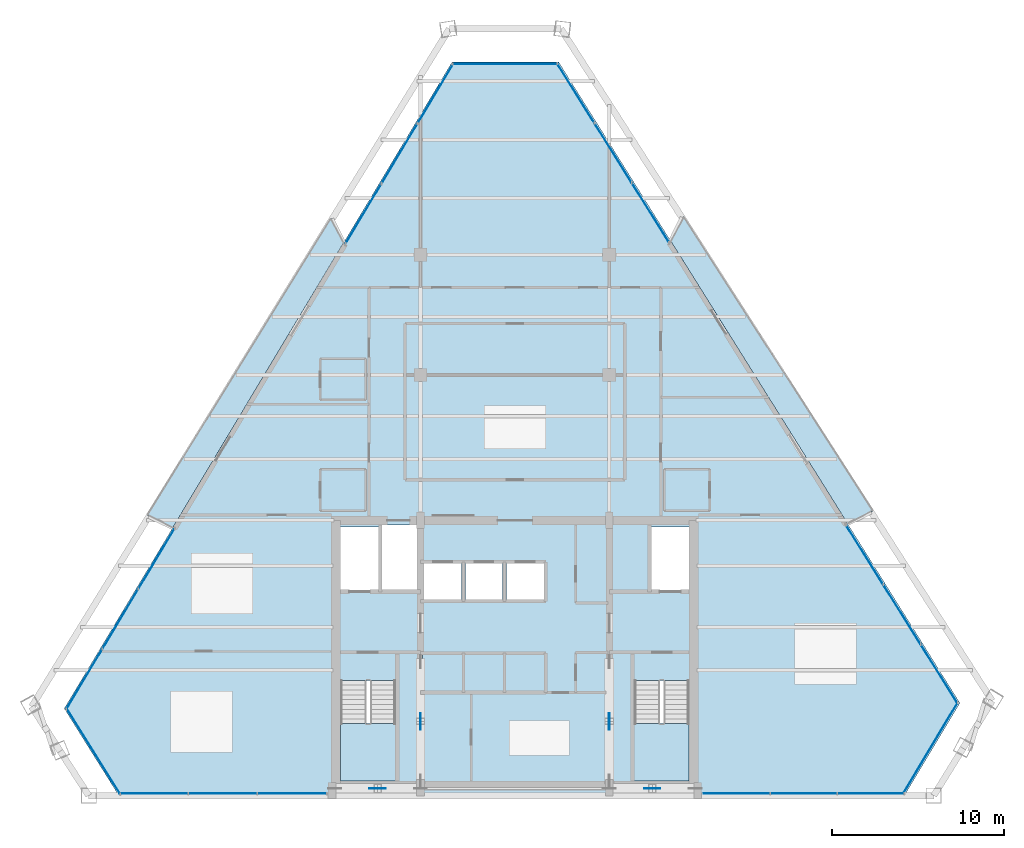
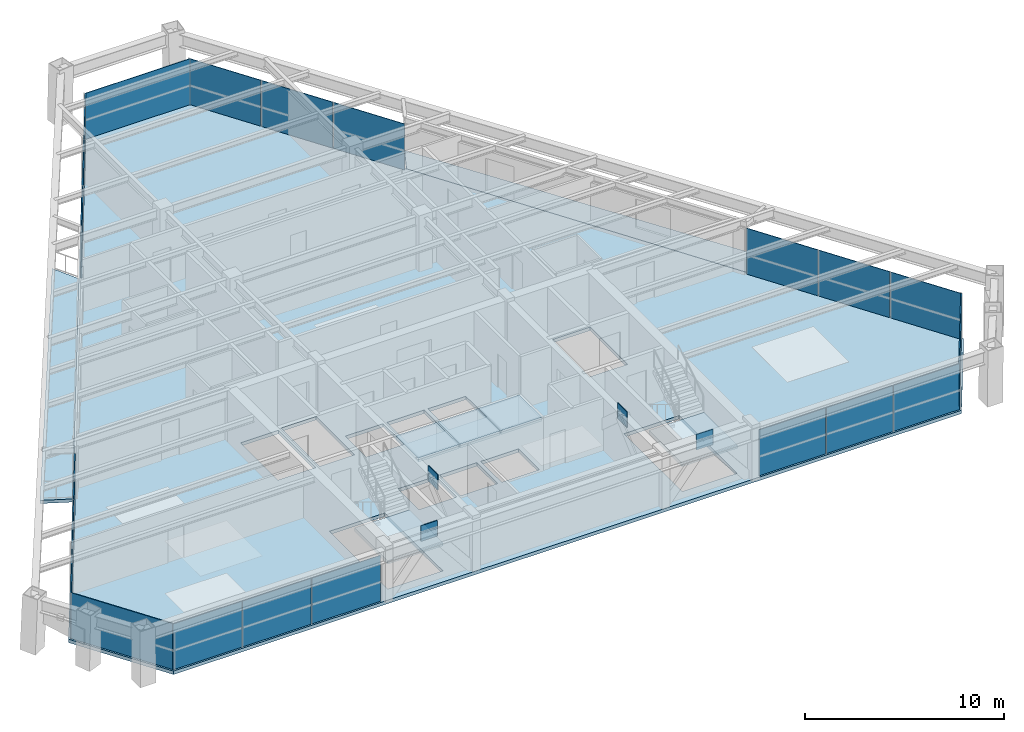
# One storey, part 7 of 12: 25 plates, 8 slabs, 11 elements without a shape of their own.
"""IFC4 building model written with IfcOpenShell, lengths in metres."""

from ifc_helpers import new_model, si_unit, direction, frame, origin, origin_2d, place, context, subcontext, project, spatial, polyline, rectangle, outline, extrude, source, transform, mapped, material, layer, layer_set, type_object, type_shapes, element, aggregate, save


model = new_model("IFC4")

# Units and contexts
model_context = context("Model", 3, precision=1e-05, world=origin(), true_north=direction((0.0, 1.0)))
body_context = subcontext(model_context, "Body", "Model", "MODEL_VIEW")
ifc_project = project(units=[si_unit("LENGTHUNIT", "METRE"), si_unit("AREAUNIT", "SQUARE_METRE"), si_unit("VOLUMEUNIT", "CUBIC_METRE"), si_unit("PLANEANGLEUNIT", "RADIAN"), si_unit("MASSUNIT", "GRAM", prefix="KILO")], contexts=[model_context])

# Site, building, storey
site_placement = place(None, origin())
site = spatial("IfcSite", under=ifc_project, at=site_placement, CompositionType="ELEMENT")
building_placement = place(site_placement, origin())
building = spatial("IfcBuilding", under=site, at=building_placement, Name="Varnakhor Terracotta Tower", CompositionType="ELEMENT")
storey_placement = place(building_placement, frame((0.0, 0.0, 220.0)))
storey = spatial("IfcBuildingStorey", under=building, at=storey_placement, Name="L56", CompositionType="ELEMENT", Elevation=220.0)

# Slab
ifc_material_1 = material(Name="Concrete C40/50", Category="concrete")
ifc_layer_1 = layer(ifc_material_1, 0.2099609375, Name="Concrete C40/50")
ifc_layer_set_1 = layer_set([ifc_layer_1], Name="Concrete C40/50")
slab_type_1 = type_object("IfcSlabType", Name="SLB-HTL-210", PredefinedType="FLOOR", material=ifc_layer_set_1)
slab_1_placement = place(storey_placement, frame((0.0, 0.0, -0.2099609375)))
element("IfcSlab", 1, at=slab_1_placement, inside=storey, type_object=slab_type_1, Name="L56 Structural Floor Slab", PredefinedType="FLOOR", context=body_context, shape_type="SweptSolid", body=[
    extrude(outline(polyline([(-26.2529296875, 5.0732421875), (-3.665283203125, 42.73291015625), (2.5498046875, 42.73291015625), (25.920166015625, 5.3935546875), (22.68505859375, 0.0), (-23.07763671875, 0.0), (-26.2529296875, 5.0732421875)]), holes=[polyline([(-6.949951171875, 0.85009765625), (-6.949951171875, 6.695068359375), (-10.14990234375, 6.695068359375), (-10.14990234375, 0.85009765625), (-6.949951171875, 0.85009765625)]), polyline([(-3.10009765625, 6.10009765625), (-3.10009765625, 8.199951171875), (-5.300048828125, 8.199951171875), (-5.300048828125, 6.10009765625), (-3.10009765625, 6.10009765625)]), polyline([(-0.719970703125, 6.10009765625), (-0.719970703125, 8.199951171875), (-2.8798828125, 8.199951171875), (-2.8798828125, 6.10009765625), (-0.719970703125, 6.10009765625)]), polyline([(-5.300048828125, 11.419921875), (-3.10009765625, 11.419921875), (-3.10009765625, 13.52001953125), (-5.300048828125, 13.52001953125), (-5.300048828125, 11.419921875)]), polyline([(-10.14990234375, 11.8798828125), (-7.949951171875, 11.8798828125), (-7.949951171875, 15.64990234375), (-10.14990234375, 15.64990234375), (-10.14990234375, 11.8798828125)]), polyline([(-5.699951171875, 11.8798828125), (-5.699951171875, 15.75), (-7.72998046875, 15.75), (-7.72998046875, 11.8798828125), (-5.699951171875, 11.8798828125)]), polyline([(6.949951171875, 0.85009765625), (10.14990234375, 0.85009765625), (10.14990234375, 6.695068359375), (6.949951171875, 6.695068359375), (6.949951171875, 0.85009765625)]), polyline([(-0.5, 6.10009765625), (1.699951171875, 6.10009765625), (1.699951171875, 8.199951171875), (-0.5, 8.199951171875), (-0.5, 6.10009765625)]), polyline([(-0.719970703125, 11.419921875), (-0.719970703125, 13.52001953125), (-2.8798828125, 13.52001953125), (-2.8798828125, 11.419921875), (-0.719970703125, 11.419921875)]), polyline([(-0.5, 11.419921875), (1.699951171875, 11.419921875), (1.699951171875, 13.52001953125), (-0.5, 13.52001953125), (-0.5, 11.419921875)]), polyline([(7.949951171875, 11.8798828125), (10.14990234375, 11.8798828125), (10.14990234375, 15.64990234375), (7.949951171875, 15.64990234375), (7.949951171875, 11.8798828125)])]), origin(), (0.0, 0.0, 1.0), 0.2099609375),
])

# Stair, slab
stair_type = type_object("IfcStairType", Name="STR-CORE-HOTEL-1500", PredefinedType="HALF_TURN_STAIR", material=ifc_material_1)
stair_1_placement = place(storey_placement, origin())
stair_1 = element("IfcStair", 2, at=stair_1_placement, inside=storey, type_object=stair_type, Name="L56 Core Exit Stair ST-1", PredefinedType="HALF_TURN_STAIR")
ifc_layer_2 = layer(ifc_material_1, 0.179931640625, Name="Concrete C40/50")
ifc_layer_set_2 = layer_set([ifc_layer_2], Name="Concrete C40/50")
slab_type_2 = type_object("IfcSlabType", Name="SLB-LANDING-180", PredefinedType="LANDING", material=ifc_layer_set_2)
slab_2_placement = place(storey_placement, frame((0.0, 0.0, 1.52490234375)))
slab_2 = element("IfcSlab", 3, at=slab_2_placement, type_object=slab_type_2, Name="ST-1 landing 1", PredefinedType="LANDING", context=body_context, shape_type="SweptSolid", body=[
    extrude(outline(polyline([(-10.14990234375, 4.18994140625), (-10.14990234375, 0.85009765625), (-6.949951171875, 0.85009765625), (-6.949951171875, 4.18994140625), (-10.14990234375, 4.18994140625)])), origin(), (0.0, 0.0, 1.0), 0.2001953125),
])
aggregate(stair_1, [slab_2])

stair_2_placement = place(storey_placement, origin())
stair_2 = element("IfcStair", 4, at=stair_2_placement, inside=storey, type_object=stair_type, Name="L56 Core Exit Stair ST-2", PredefinedType="HALF_TURN_STAIR")
slab_3_placement = place(storey_placement, frame((0.0, 0.0, 1.52490234375)))
slab_3 = element("IfcSlab", 5, at=slab_3_placement, type_object=slab_type_2, Name="ST-2 landing 1", PredefinedType="LANDING", context=body_context, shape_type="SweptSolid", body=[
    extrude(outline(polyline([(6.949951171875, 4.18994140625), (6.949951171875, 0.85009765625), (10.14990234375, 0.85009765625), (10.14990234375, 4.18994140625), (6.949951171875, 4.18994140625)])), origin(), (0.0, 0.0, 1.0), 0.2001953125),
])
aggregate(stair_2, [slab_3])

# Slabs
ifc_layer_3 = layer(ifc_material_1, 0.195068359375, Name="Concrete C40/50")
ifc_layer_set_3 = layer_set([ifc_layer_3], Name="Concrete C40/50")
slab_type_3 = type_object("IfcSlabType", Name="SLB-LOGGIA-EXT-195", PredefinedType="FLOOR", material=ifc_layer_set_3)
slab_4_placement = place(storey_placement, frame((0.0, 0.0, -0.195068359375)))
element("IfcSlab", 6, at=slab_4_placement, inside=storey, type_object=slab_type_3, Name="L56 E Recessed Outdoor Loggia Slab", PredefinedType="FLOOR", context=body_context, shape_type="SweptSolid", body=[
    extrude(outline(polyline([(9.80810546875, 33.729736328125), (20.846923828125, 16.561279296875), (19.37646484375, 15.8486328125), (17.0576171875, 19.55322265625), (9.093505859375, 32.278076171875), (9.80810546875, 33.729736328125)])), origin(), (0.0, 0.0, 1.0), 0.195068359375),
])
slab_5_placement = place(storey_placement, frame((0.0, 0.0, -0.195068359375)))
element("IfcSlab", 7, at=slab_5_placement, inside=storey, type_object=slab_type_3, Name="L56 W Recessed Outdoor Loggia Slab", PredefinedType="FLOOR", context=body_context, shape_type="SweptSolid", body=[
    extrude(outline(polyline([(-21.409912109375, 16.3203125), (-10.70849609375, 33.635986328125), (-9.989990234375, 32.188232421875), (-18.593017578125, 17.8447265625), (-19.928466796875, 15.617919921875), (-21.409912109375, 16.3203125)])), origin(), (0.0, 0.0, 1.0), 0.195068359375),
])
ifc_layer_4 = layer(ifc_material_1, 0.300048828125, Name="Concrete C40/50")
ifc_layer_set_4 = layer_set([ifc_layer_4], Name="Concrete C40/50")
slab_type_4 = type_object("IfcSlabType", Name="SLB-PLANT-300", PredefinedType="FLOOR", material=ifc_layer_set_4)
slab_6_placement = place(storey_placement, frame((0.0, 0.0, 2.989990234375)))
element("IfcSlab", 8, at=slab_6_placement, inside=storey, type_object=slab_type_4, Name="Lift PL-2A Hoistway Overrun Cap Slab", PredefinedType="FLOOR", context=body_context, shape_type="SweptSolid", body=[
    extrude(outline(polyline([(-5.3798828125, 6.02001953125), (-3.02001953125, 6.02001953125), (-3.02001953125, 8.280029296875), (-5.3798828125, 8.280029296875), (-5.3798828125, 6.02001953125)])), origin(), (0.0, 0.0, 1.0), 0.25),
])
slab_7_placement = place(storey_placement, frame((0.0, 0.0, 2.989990234375)))
element("IfcSlab", 9, at=slab_7_placement, inside=storey, type_object=slab_type_4, Name="Lift PL-2B Hoistway Overrun Cap Slab", PredefinedType="FLOOR", context=body_context, shape_type="SweptSolid", body=[
    extrude(outline(polyline([(-2.9599609375, 6.02001953125), (-0.639892578125, 6.02001953125), (-0.639892578125, 8.280029296875), (-2.9599609375, 8.280029296875), (-2.9599609375, 6.02001953125)])), origin(), (0.0, 0.0, 1.0), 0.25),
])
slab_8_placement = place(storey_placement, frame((0.0, 0.0, 2.989990234375)))
element("IfcSlab", 10, at=slab_8_placement, inside=storey, type_object=slab_type_4, Name="Lift PL-2C Hoistway Overrun Cap Slab", PredefinedType="FLOOR", context=body_context, shape_type="SweptSolid", body=[
    extrude(outline(polyline([(-0.580078125, 6.02001953125), (1.780029296875, 6.02001953125), (1.780029296875, 8.280029296875), (-0.580078125, 8.280029296875), (-0.580078125, 6.02001953125)])), origin(), (0.0, 0.0, 1.0), 0.25),
])

# Plates
ifc_material_2 = material(Name="Steel S460", Category="steel")
ifc_layer_5 = layer(ifc_material_2, 0.050048828125, Name="Steel S460")
ifc_layer_set_5 = layer_set([ifc_layer_5], Name="Steel S460")
plate_type_1 = type_object("IfcPlateType", Name="PLT-GUSSET-50", PredefinedType="USERDEFINED", material=ifc_layer_set_5)
shared_shape_1 = source(origin(), body_context, "Body", "SweptSolid", [
    extrude(rectangle(XDim=0.949951171875, YDim=0.044921875, at=origin_2d()), origin(), (0.0, 0.0, 1.0), 0.949951171875),
])
for number, where, z_axis, x_axis, name in (
    (11, (-8.0, 0.419921875, 2.615234375), (0.0, 0.0, 1.0), (1.0, 0.0, 0.0), "L56 Core Brace Apex Gusset CSW"),
    (12, (8.0, 0.419921875, 2.615234375), (0.0, 0.0, 1.0), (1.0, 0.0, 0.0), "L56 Core Brace Apex Gusset CSE"),
    (13, (-5.5, 4.324951171875, 2.615234375), (0.0, 0.0, 1.0), (0.0, 1.0, 0.0), "L56 Core Brace Apex Gusset CWW"),
    (14, (5.5, 4.324951171875, 2.615234375), (0.0, 0.0, 1.0), (0.0, 1.0, 0.0), "L56 Core Brace Apex Gusset CWE"),
):
    element("IfcPlate", number, at=place(storey_placement, frame(where, z_axis=z_axis, x_axis=x_axis)), inside=storey, type_object=plate_type_1, Name=name, ObjectType="GUSSET PLATE", PredefinedType="USERDEFINED", context=body_context, shape_type="MappedRepresentation", body=[
        mapped(shared_shape_1, transform((0.0, 0.0, 0.0), scale=1.0)),
    ])

# Curtain wall, plates
ifc_material_3 = material(Name="Anodised Aluminium Curtain Wall System", Category="aluminium")
curtain_wall_type = type_object("IfcCurtainWallType", Name="CW-SYS-HOTEL-LOGGIA", PredefinedType="NOTDEFINED", material=ifc_material_3)
curtain_wall_1_placement = place(storey_placement, origin())
curtain_wall_1 = element("IfcCurtainWall", 15, at=curtain_wall_1_placement, inside=storey, type_object=curtain_wall_type, Name="L56 W Facet Curtain Wall 1", PredefinedType="NOTDEFINED")
ifc_material_4 = material(Name="Solar-Control Low-E Insulated Glass Panel", Category="glass")
ifc_layer_6 = layer(ifc_material_4, 0.033935546875, Name="Solar-Control Low-E Insulated Glass Panel")
ifc_layer_set_6 = layer_set([ifc_layer_6], Name="Solar-Control Low-E Insulated Glass Panel")
plate_type_2 = type_object("IfcPlateType", Name="CWP-04", PredefinedType="CURTAIN_PANEL", material=ifc_layer_set_6)
shared_shape_2 = source(origin(), body_context, "Body", "SweptSolid", [
    extrude(rectangle(XDim=4.038818359375, YDim=0.035888671875, at=origin_2d()), origin(), (0.0, 0.0, 1.0), 2.820068359375),
])
type_shapes(plate_type_2, [shared_shape_2])
plate_1_placement = place(storey_placement, frame((-25.085693359375, 6.7861328125, 0.0), z_axis=(0.0, 0.0, 1.0), x_axis=(0.514364698505, 0.857571546247, 0.0)))
plate_1 = element("IfcPlate", 16, at=plate_1_placement, type_object=plate_type_2, Name="L56 W Facet Curtain Wall 1 Glazed Panel 1", PredefinedType="CURTAIN_PANEL", context=body_context, shape_type="MappedRepresentation", body=[
    mapped(shared_shape_2, transform((0.0, 0.0, 0.0), scale=1.0)),
])
plate_2_placement = place(storey_placement, frame((-20.889892578125, 13.78173828125, 0.0), z_axis=(0.0, 0.0, 1.0), x_axis=(0.514364698505, 0.857571546247, 0.0)))
plate_2 = element("IfcPlate", 17, at=plate_2_placement, type_object=plate_type_2, Name="L56 W Facet Curtain Wall 1 Glazed Panel 3", PredefinedType="CURTAIN_PANEL", context=body_context, shape_type="MappedRepresentation", body=[
    mapped(shared_shape_2, transform((0.0, 0.0, 0.0), scale=1.0)),
])

# Curtain wall, plate
curtain_wall_2_placement = place(storey_placement, origin())
curtain_wall_2 = element("IfcCurtainWall", 18, at=curtain_wall_2_placement, inside=storey, type_object=curtain_wall_type, Name="L56 W Facet Curtain Wall 2", PredefinedType="NOTDEFINED")
plate_3_placement = place(storey_placement, frame((-6.724853515625, 37.39892578125, 0.0), z_axis=(0.0, 0.0, 1.0), x_axis=(0.514364698505, 0.857571546247, 0.0)))
plate_3 = element("IfcPlate", 19, at=plate_3_placement, type_object=plate_type_2, Name="L56 W Facet Curtain Wall 2 Glazed Panel 2", PredefinedType="CURTAIN_PANEL", context=body_context, shape_type="MappedRepresentation", body=[
    mapped(shared_shape_2, transform((0.0, 0.0, 0.0), scale=1.0)),
])

# Plate
shared_shape_3 = source(origin(), body_context, "Body", "SweptSolid", [
    extrude(rectangle(XDim=4.03857421875, YDim=0.035888671875, at=origin_2d()), origin(), (0.0, 0.0, 1.0), 2.820068359375),
])
plate_4_placement = place(storey_placement, frame((-22.98779296875, 10.283935546875, 0.0), z_axis=(0.0, 0.0, 1.0), x_axis=(0.514364698505, 0.857571546247, 0.0)))
plate_4 = element("IfcPlate", 20, at=plate_4_placement, type_object=plate_type_2, Name="L56 W Facet Curtain Wall 1 Glazed Panel 2", PredefinedType="CURTAIN_PANEL", context=body_context, shape_type="MappedRepresentation", body=[
    mapped(shared_shape_3, transform((0.0, 0.0, 0.0), scale=1.0)),
])

aggregate(curtain_wall_1, [plate_1, plate_4, plate_2])

plate_5_placement = place(storey_placement, frame((-8.822509765625, 33.901123046875, 0.0), z_axis=(0.0, 0.0, 1.0), x_axis=(0.514364698505, 0.857571546247, 0.0)))
plate_5 = element("IfcPlate", 21, at=plate_5_placement, type_object=plate_type_2, Name="L56 W Facet Curtain Wall 2 Glazed Panel 1", PredefinedType="CURTAIN_PANEL", context=body_context, shape_type="MappedRepresentation", body=[
    mapped(shared_shape_3, transform((0.0, 0.0, 0.0), scale=1.0)),
])

plate_6_placement = place(storey_placement, frame((-4.626953125, 40.896484375, 0.0), z_axis=(0.0, 0.0, 1.0), x_axis=(0.514364698505, 0.857571546247, 0.0)))
plate_6 = element("IfcPlate", 22, at=plate_6_placement, type_object=plate_type_2, Name="L56 W Facet Curtain Wall 2 Glazed Panel 3", PredefinedType="CURTAIN_PANEL", context=body_context, shape_type="MappedRepresentation", body=[
    mapped(shared_shape_3, transform((0.0, 0.0, 0.0), scale=1.0)),
])

aggregate(curtain_wall_2, [plate_5, plate_3, plate_6])

# Curtain wall, plate
curtain_wall_3_placement = place(storey_placement, origin())
curtain_wall_3 = element("IfcCurtainWall", 23, at=curtain_wall_3_placement, inside=storey, type_object=curtain_wall_type, Name="L56 Facet Curtain Wall 2", PredefinedType="NOTDEFINED")
shared_shape_4 = source(origin(), body_context, "Body", "SweptSolid", [
    extrude(rectangle(XDim=6.114990234375, YDim=0.035888671875, at=origin_2d()), origin(), (0.0, 0.0, 1.0), 2.820068359375),
])
plate_7_placement = place(storey_placement, frame((-0.557861328125, 42.613037109375, 0.0), z_axis=(0.0, 0.0, 1.0), x_axis=(1.0, 0.0, 0.0)))
plate_7 = element("IfcPlate", 24, at=plate_7_placement, type_object=plate_type_2, Name="L56 Facet Curtain Wall 2 Glazed Panel 1", PredefinedType="CURTAIN_PANEL", context=body_context, shape_type="MappedRepresentation", body=[
    mapped(shared_shape_4, transform((0.0, 0.0, 0.0), scale=1.0)),
])
aggregate(curtain_wall_3, [plate_7])

# Curtain wall, plates
curtain_wall_4_placement = place(storey_placement, origin())
curtain_wall_4 = element("IfcCurtainWall", 25, at=curtain_wall_4_placement, inside=storey, type_object=curtain_wall_type, Name="L56 E Facet Curtain Wall 1", PredefinedType="NOTDEFINED")
shared_shape_5 = source(origin(), body_context, "Body", "SweptSolid", [
    extrude(rectangle(XDim=4.051513671875, YDim=0.035888671875, at=origin_2d()), origin(), (0.0, 0.0, 1.0), 2.820068359375),
])
plate_8_placement = place(storey_placement, frame((3.54931640625, 40.909912109375, 0.0), z_axis=(0.0, 0.0, 1.0), x_axis=(0.530540773525, -0.847659417235, 0.0)))
plate_8 = element("IfcPlate", 26, at=plate_8_placement, type_object=plate_type_2, Name="L56 E Facet Curtain Wall 1 Glazed Panel 1", PredefinedType="CURTAIN_PANEL", context=body_context, shape_type="MappedRepresentation", body=[
    mapped(shared_shape_5, transform((0.0, 0.0, 0.0), scale=1.0)),
])
plate_9_placement = place(storey_placement, frame((7.890380859375, 33.9736328125, 0.0), z_axis=(0.0, 0.0, 1.0), x_axis=(0.530540773525, -0.847659417235, 0.0)))
plate_9 = element("IfcPlate", 27, at=plate_9_placement, type_object=plate_type_2, Name="L56 E Facet Curtain Wall 1 Glazed Panel 3", PredefinedType="CURTAIN_PANEL", context=body_context, shape_type="MappedRepresentation", body=[
    mapped(shared_shape_5, transform((0.0, 0.0, 0.0), scale=1.0)),
])

# Curtain wall, plate
curtain_wall_5_placement = place(storey_placement, origin())
curtain_wall_5 = element("IfcCurtainWall", 28, at=curtain_wall_5_placement, inside=storey, type_object=curtain_wall_type, Name="L56 E Facet Curtain Wall 2", PredefinedType="NOTDEFINED")
plate_10_placement = place(storey_placement, frame((22.54638671875, 10.557373046875, 0.0), z_axis=(0.0, 0.0, 1.0), x_axis=(0.530540773525, -0.847659417235, 0.0)))
plate_10 = element("IfcPlate", 29, at=plate_10_placement, type_object=plate_type_2, Name="L56 E Facet Curtain Wall 2 Glazed Panel 2", PredefinedType="CURTAIN_PANEL", context=body_context, shape_type="MappedRepresentation", body=[
    mapped(shared_shape_5, transform((0.0, 0.0, 0.0), scale=1.0)),
])

# Plate
shared_shape_6 = source(origin(), body_context, "Body", "SweptSolid", [
    extrude(rectangle(XDim=4.05126953125, YDim=0.035888671875, at=origin_2d()), origin(), (0.0, 0.0, 1.0), 2.820068359375),
])
plate_11_placement = place(storey_placement, frame((5.719970703125, 37.44189453125, 0.0), z_axis=(0.0, 0.0, 1.0), x_axis=(0.530540773525, -0.847659417235, 0.0)))
plate_11 = element("IfcPlate", 30, at=plate_11_placement, type_object=plate_type_2, Name="L56 E Facet Curtain Wall 1 Glazed Panel 2", PredefinedType="CURTAIN_PANEL", context=body_context, shape_type="MappedRepresentation", body=[
    mapped(shared_shape_6, transform((0.0, 0.0, 0.0), scale=1.0)),
])

aggregate(curtain_wall_4, [plate_8, plate_11, plate_9])

plate_12_placement = place(storey_placement, frame((20.3759765625, 14.025390625, 0.0), z_axis=(0.0, 0.0, 1.0), x_axis=(0.530540773525, -0.847659417235, 0.0)))
plate_12 = element("IfcPlate", 31, at=plate_12_placement, type_object=plate_type_2, Name="L56 E Facet Curtain Wall 2 Glazed Panel 1", PredefinedType="CURTAIN_PANEL", context=body_context, shape_type="MappedRepresentation", body=[
    mapped(shared_shape_6, transform((0.0, 0.0, 0.0), scale=1.0)),
])

plate_13_placement = place(storey_placement, frame((24.717041015625, 7.08935546875, 0.0), z_axis=(0.0, 0.0, 1.0), x_axis=(0.530540773525, -0.847659417235, 0.0)))
plate_13 = element("IfcPlate", 32, at=plate_13_placement, type_object=plate_type_2, Name="L56 E Facet Curtain Wall 2 Glazed Panel 3", PredefinedType="CURTAIN_PANEL", context=body_context, shape_type="MappedRepresentation", body=[
    mapped(shared_shape_6, transform((0.0, 0.0, 0.0), scale=1.0)),
])

aggregate(curtain_wall_5, [plate_12, plate_10, plate_13])

# Curtain wall, plate
curtain_wall_6_placement = place(storey_placement, origin())
curtain_wall_6 = element("IfcCurtainWall", 33, at=curtain_wall_6_placement, inside=storey, type_object=curtain_wall_type, Name="L56 Facet Curtain Wall 4", PredefinedType="NOTDEFINED")
shared_shape_7 = source(origin(), body_context, "Body", "SweptSolid", [
    extrude(rectangle(XDim=6.189453125, YDim=0.035888671875, at=origin_2d()), origin(), (0.0, 0.0, 1.0), 2.820068359375),
])
plate_14_placement = place(storey_placement, frame((24.19970703125, 2.758544921875, 0.0), z_axis=(0.0, 0.0, 1.0), x_axis=(-0.514364698505, -0.857571546247, 0.0)))
plate_14 = element("IfcPlate", 34, at=plate_14_placement, type_object=plate_type_2, Name="L56 Facet Curtain Wall 4 Glazed Panel 1", PredefinedType="CURTAIN_PANEL", context=body_context, shape_type="MappedRepresentation", body=[
    mapped(shared_shape_7, transform((0.0, 0.0, 0.0), scale=1.0)),
])
aggregate(curtain_wall_6, [plate_14])

# Curtain wall, plates
curtain_wall_7_placement = place(storey_placement, origin())
curtain_wall_7 = element("IfcCurtainWall", 35, at=curtain_wall_7_placement, inside=storey, type_object=curtain_wall_type, Name="L56 South Wing Curtain Wall SSE", PredefinedType="NOTDEFINED")
shared_shape_8 = source(origin(), body_context, "Body", "SweptSolid", [
    extrude(rectangle(XDim=3.86181640625, YDim=0.035888671875, at=origin_2d()), origin(), (0.0, 0.0, 1.0), 2.820068359375),
])
plate_15_placement = place(storey_placement, frame((20.72412109375, 0.1201171875, 0.0), z_axis=(0.0, 0.0, 1.0), x_axis=(-1.0, 0.0, 0.0)))
plate_15 = element("IfcPlate", 36, at=plate_15_placement, type_object=plate_type_2, Name="L56 South Wing Curtain Wall SSE Glazed Panel 1", PredefinedType="CURTAIN_PANEL", context=body_context, shape_type="MappedRepresentation", body=[
    mapped(shared_shape_8, transform((0.0, 0.0, 0.0), scale=1.0)),
])
plate_16_placement = place(storey_placement, frame((16.822509765625, 0.1201171875, 0.0), z_axis=(0.0, 0.0, 1.0), x_axis=(-1.0, 0.0, 0.0)))
plate_16 = element("IfcPlate", 37, at=plate_16_placement, type_object=plate_type_2, Name="L56 South Wing Curtain Wall SSE Glazed Panel 2", PredefinedType="CURTAIN_PANEL", context=body_context, shape_type="MappedRepresentation", body=[
    mapped(shared_shape_8, transform((0.0, 0.0, 0.0), scale=1.0)),
])
plate_17_placement = place(storey_placement, frame((12.9208984375, 0.1201171875, 0.0), z_axis=(0.0, 0.0, 1.0), x_axis=(-1.0, 0.0, 0.0)))
plate_17 = element("IfcPlate", 38, at=plate_17_placement, type_object=plate_type_2, Name="L56 South Wing Curtain Wall SSE Glazed Panel 3", PredefinedType="CURTAIN_PANEL", context=body_context, shape_type="MappedRepresentation", body=[
    mapped(shared_shape_8, transform((0.0, 0.0, 0.0), scale=1.0)),
])
aggregate(curtain_wall_7, [plate_15, plate_16, plate_17])

curtain_wall_8_placement = place(storey_placement, origin())
curtain_wall_8 = element("IfcCurtainWall", 39, at=curtain_wall_8_placement, inside=storey, type_object=curtain_wall_type, Name="L56 South Wing Curtain Wall SSW", PredefinedType="NOTDEFINED")
shared_shape_9 = source(origin(), body_context, "Body", "SweptSolid", [
    extrude(rectangle(XDim=3.99267578125, YDim=0.035888671875, at=origin_2d()), origin(), (0.0, 0.0, 1.0), 2.820068359375),
])
plate_18_placement = place(storey_placement, frame((-12.986328125, 0.1201171875, 0.0), z_axis=(0.0, 0.0, 1.0), x_axis=(-1.0, 0.0, 0.0)))
plate_18 = element("IfcPlate", 40, at=plate_18_placement, type_object=plate_type_2, Name="L56 South Wing Curtain Wall SSW Glazed Panel 1", PredefinedType="CURTAIN_PANEL", context=body_context, shape_type="MappedRepresentation", body=[
    mapped(shared_shape_9, transform((0.0, 0.0, 0.0), scale=1.0)),
])
plate_19_placement = place(storey_placement, frame((-21.051513671875, 0.1201171875, 0.0), z_axis=(0.0, 0.0, 1.0), x_axis=(-1.0, 0.0, 0.0)))
plate_19 = element("IfcPlate", 41, at=plate_19_placement, type_object=plate_type_2, Name="L56 South Wing Curtain Wall SSW Glazed Panel 3", PredefinedType="CURTAIN_PANEL", context=body_context, shape_type="MappedRepresentation", body=[
    mapped(shared_shape_9, transform((0.0, 0.0, 0.0), scale=1.0)),
])
shared_shape_10 = source(origin(), body_context, "Body", "SweptSolid", [
    extrude(rectangle(XDim=3.992431640625, YDim=0.035888671875, at=origin_2d()), origin(), (0.0, 0.0, 1.0), 2.820068359375),
])
plate_20_placement = place(storey_placement, frame((-17.018798828125, 0.1201171875, 0.0), z_axis=(0.0, 0.0, 1.0), x_axis=(-1.0, 0.0, 0.0)))
plate_20 = element("IfcPlate", 42, at=plate_20_placement, type_object=plate_type_2, Name="L56 South Wing Curtain Wall SSW Glazed Panel 2", PredefinedType="CURTAIN_PANEL", context=body_context, shape_type="MappedRepresentation", body=[
    mapped(shared_shape_10, transform((0.0, 0.0, 0.0), scale=1.0)),
])
aggregate(curtain_wall_8, [plate_18, plate_20, plate_19])

# Curtain wall, plate
curtain_wall_9_placement = place(storey_placement, origin())
curtain_wall_9 = element("IfcCurtainWall", 43, at=curtain_wall_9_placement, inside=storey, type_object=curtain_wall_type, Name="L56 Facet Curtain Wall 6", PredefinedType="NOTDEFINED")
shared_shape_11 = source(origin(), body_context, "Body", "SweptSolid", [
    extrude(rectangle(XDim=5.885009765625, YDim=0.035888671875, at=origin_2d()), origin(), (0.0, 0.0, 1.0), 2.820068359375),
])
plate_21_placement = place(storey_placement, frame((-24.563720703125, 2.600341796875, 0.0), z_axis=(0.0, 0.0, 1.0), x_axis=(-0.530540773525, 0.847659417235, 0.0)))
plate_21 = element("IfcPlate", 44, at=plate_21_placement, type_object=plate_type_2, Name="L56 Facet Curtain Wall 6 Glazed Panel 1", PredefinedType="CURTAIN_PANEL", context=body_context, shape_type="MappedRepresentation", body=[
    mapped(shared_shape_11, transform((0.0, 0.0, 0.0), scale=1.0)),
])
aggregate(curtain_wall_9, [plate_21])

save(model, "model.ifc")
